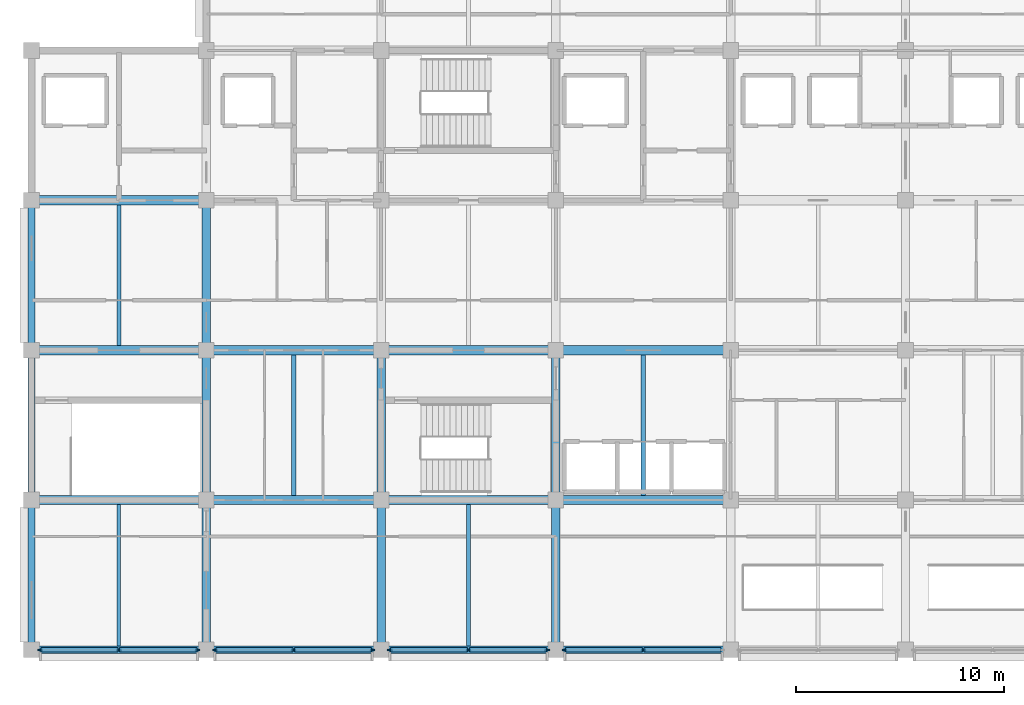
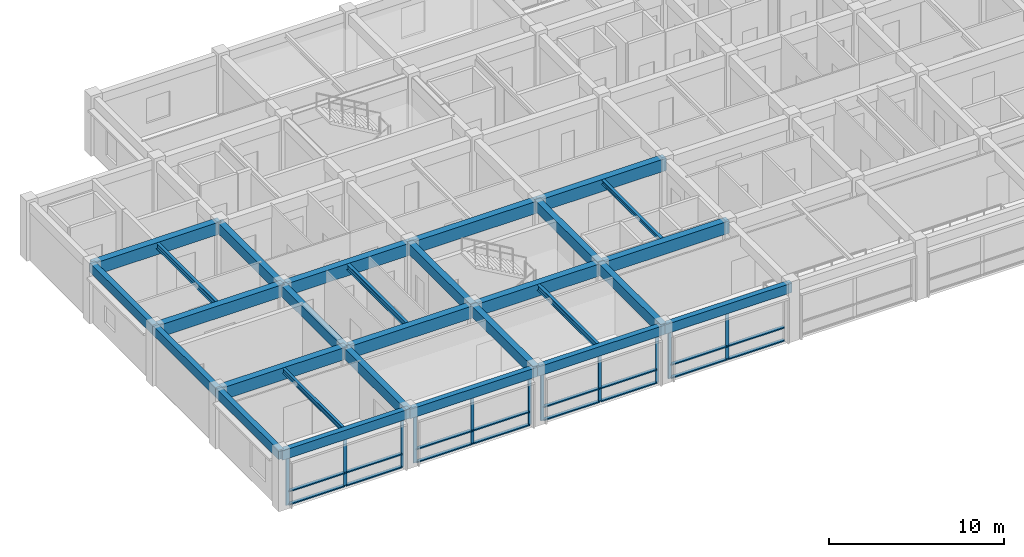
# One storey, part 2 of 23: 35 members, 28 beams, 4 elements without a shape of their own.
"""IFC4 building model written with IfcOpenShell, lengths in metres."""

from ifc_helpers import new_model, si_unit, direction, frame, origin, origin_2d, place, context, subcontext, project, spatial, rectangle, i_section, extrude, material, layer, layer_set, material_profile, profile_set, type_object, element, aggregate, save


model = new_model("IFC4")

# Units and contexts
model_context = context("Model", 3, precision=1e-05, world=origin(), true_north=direction((0.0, 1.0)))
body_context = subcontext(model_context, "Body", "Model", "MODEL_VIEW")
ifc_project = project(units=[si_unit("LENGTHUNIT", "METRE"), si_unit("AREAUNIT", "SQUARE_METRE"), si_unit("VOLUMEUNIT", "CUBIC_METRE"), si_unit("PLANEANGLEUNIT", "RADIAN"), si_unit("MASSUNIT", "GRAM", prefix="KILO")], contexts=[model_context])

# Site, building, storey
site_placement = place(None, origin())
site = spatial("IfcSite", under=ifc_project, at=site_placement, CompositionType="ELEMENT")
building_placement = place(site_placement, origin())
building = spatial("IfcBuilding", under=site, at=building_placement, Name="Chengyuan Square Courthouse", CompositionType="ELEMENT")
storey_placement = place(building_placement, frame((0.0, 0.0, 43.5)))
storey = spatial("IfcBuildingStorey", under=building, at=storey_placement, Name="L10", CompositionType="ELEMENT", Elevation=43.5)

# Beams
ifc_material_1 = material(Name="Concrete C40", Category="concrete")
ifc_material_profile_1 = material_profile(ifc_material_1, rectangle(XDim=0.449951171875, YDim=0.85009765625, at=origin_2d()), Name="RC-BM-450x850")
ifc_profile_set_1 = profile_set([ifc_material_profile_1], Name="Concrete C40")
beam_type_1 = type_object("IfcBeamType", Name="BM-01", PredefinedType="USERDEFINED", material=ifc_profile_set_1)
beam_1_placement = place(storey_placement, frame((42.0, 86.39990234375, 3.574951171875), z_axis=(1.0, 0.0, 0.0), x_axis=(0.0, 1.0, 0.0)))
element("IfcBeam", 1, at=beam_1_placement, inside=storey, type_object=beam_type_1, Name="Girder BM-L10-4036", ObjectType="GIRDER", PredefinedType="USERDEFINED", context=body_context, shape_type="SweptSolid", body=[
    extrude(rectangle(XDim=0.449951171875, YDim=0.85009765625, at=origin_2d()), origin(), (0.0, 0.0, 1.0), 8.39990234375),
])
beam_2_placement = place(storey_placement, frame((50.39990234375, 86.39990234375, 3.52490234375), z_axis=(1.0, 0.0, 0.0), x_axis=(0.0, 1.0, 0.0)))
element("IfcBeam", 2, at=beam_2_placement, inside=storey, type_object=beam_type_1, Name="Girder BM-L10-4037", ObjectType="GIRDER", PredefinedType="USERDEFINED", context=body_context, shape_type="SweptSolid", body=[
    extrude(rectangle(XDim=0.449951171875, YDim=0.85009765625, at=origin_2d()), origin(), (0.0, 0.0, 1.0), 8.400146484375),
])
beam_3_placement = place(storey_placement, frame((58.800048828125, 86.39990234375, 3.52490234375), z_axis=(1.0, 0.0, 0.0), x_axis=(0.0, 1.0, 0.0)))
element("IfcBeam", 3, at=beam_3_placement, inside=storey, type_object=beam_type_1, Name="Girder BM-L10-4038", ObjectType="GIRDER", PredefinedType="USERDEFINED", context=body_context, shape_type="SweptSolid", body=[
    extrude(rectangle(XDim=0.449951171875, YDim=0.85009765625, at=origin_2d()), origin(), (0.0, 0.0, 1.0), 8.39990234375),
])
beam_4_placement = place(storey_placement, frame((67.199951171875, 86.39990234375, 3.52490234375), z_axis=(1.0, 0.0, 0.0), x_axis=(0.0, 1.0, 0.0)))
element("IfcBeam", 4, at=beam_4_placement, inside=storey, type_object=beam_type_1, Name="Girder BM-L10-4039", ObjectType="GIRDER", PredefinedType="USERDEFINED", context=body_context, shape_type="SweptSolid", body=[
    extrude(rectangle(XDim=0.449951171875, YDim=0.85009765625, at=origin_2d()), origin(), (0.0, 0.0, 1.0), 8.400146484375),
])
beam_5_placement = place(storey_placement, frame((42.0, 93.60009765625, 3.574951171875), z_axis=(1.0, 0.0, 0.0), x_axis=(0.0, 1.0, 0.0)))
element("IfcBeam", 5, at=beam_5_placement, inside=storey, type_object=beam_type_1, Name="Girder BM-L10-4046", ObjectType="GIRDER", PredefinedType="USERDEFINED", context=body_context, shape_type="SweptSolid", body=[
    extrude(rectangle(XDim=0.449951171875, YDim=0.85009765625, at=origin_2d()), origin(), (0.0, 0.0, 1.0), 8.39990234375),
])
beam_6_placement = place(storey_placement, frame((50.39990234375, 93.60009765625, 3.52490234375), z_axis=(1.0, 0.0, 0.0), x_axis=(0.0, 1.0, 0.0)))
element("IfcBeam", 6, at=beam_6_placement, inside=storey, type_object=beam_type_1, Name="Girder BM-L10-4047", ObjectType="GIRDER", PredefinedType="USERDEFINED", context=body_context, shape_type="SweptSolid", body=[
    extrude(rectangle(XDim=0.449951171875, YDim=0.85009765625, at=origin_2d()), origin(), (0.0, 0.0, 1.0), 8.400146484375),
])
beam_7_placement = place(storey_placement, frame((58.800048828125, 93.60009765625, 3.52490234375), z_axis=(1.0, 0.0, 0.0), x_axis=(0.0, 1.0, 0.0)))
element("IfcBeam", 7, at=beam_7_placement, inside=storey, type_object=beam_type_1, Name="Girder BM-L10-4048", ObjectType="GIRDER", PredefinedType="USERDEFINED", context=body_context, shape_type="SweptSolid", body=[
    extrude(rectangle(XDim=0.449951171875, YDim=0.85009765625, at=origin_2d()), origin(), (0.0, 0.0, 1.0), 8.39990234375),
])
beam_8_placement = place(storey_placement, frame((67.199951171875, 93.60009765625, 3.52490234375), z_axis=(1.0, 0.0, 0.0), x_axis=(0.0, 1.0, 0.0)))
element("IfcBeam", 8, at=beam_8_placement, inside=storey, type_object=beam_type_1, Name="Girder BM-L10-4049", ObjectType="GIRDER", PredefinedType="USERDEFINED", context=body_context, shape_type="SweptSolid", body=[
    extrude(rectangle(XDim=0.449951171875, YDim=0.85009765625, at=origin_2d()), origin(), (0.0, 0.0, 1.0), 8.400146484375),
])
beam_9_placement = place(storey_placement, frame((42.0, 100.800048828125, 3.574951171875), z_axis=(1.0, 0.0, 0.0), x_axis=(0.0, 1.0, 0.0)))
element("IfcBeam", 9, at=beam_9_placement, inside=storey, type_object=beam_type_1, Name="Girder BM-L10-4056", ObjectType="GIRDER", PredefinedType="USERDEFINED", context=body_context, shape_type="SweptSolid", body=[
    extrude(rectangle(XDim=0.449951171875, YDim=0.85009765625, at=origin_2d()), origin(), (0.0, 0.0, 1.0), 8.39990234375),
])
ifc_material_profile_2 = material_profile(ifc_material_1, rectangle(XDim=0.39990234375, YDim=0.75, at=origin_2d()), Name="RC-BM-400x750")
ifc_profile_set_2 = profile_set([ifc_material_profile_2], Name="Concrete C40")
beam_type_2 = type_object("IfcBeamType", Name="BM-02", PredefinedType="USERDEFINED", material=ifc_profile_set_2)
beam_10_placement = place(storey_placement, frame((50.39990234375, 79.199951171875, 3.574951171875), z_axis=(0.0, 1.0, 0.0), x_axis=(-1.0, 0.0, 0.0)))
element("IfcBeam", 10, at=beam_10_placement, inside=storey, type_object=beam_type_2, Name="Girder BM-L10-4088", ObjectType="GIRDER", PredefinedType="USERDEFINED", context=body_context, shape_type="SweptSolid", body=[
    extrude(rectangle(XDim=0.39990234375, YDim=0.75, at=origin_2d()), origin(), (0.0, 0.0, 1.0), 7.199951171875),
])
beam_11_placement = place(storey_placement, frame((50.39990234375, 86.39990234375, 3.574951171875), z_axis=(0.0, 1.0, 0.0), x_axis=(-1.0, 0.0, 0.0)))
element("IfcBeam", 11, at=beam_11_placement, inside=storey, type_object=beam_type_2, Name="Girder BM-L10-4089", ObjectType="GIRDER", PredefinedType="USERDEFINED", context=body_context, shape_type="SweptSolid", body=[
    extrude(rectangle(XDim=0.39990234375, YDim=0.75, at=origin_2d()), origin(), (0.0, 0.0, 1.0), 7.2001953125),
])
for number, where, z_axis, x_axis, name in (
    (12, (50.39990234375, 93.60009765625, 3.574951171875), (0.0, 1.0, 0.0), (-1.0, 0.0, 0.0), "Girder BM-L10-4090"),
    (13, (58.800048828125, 79.199951171875, 3.574951171875), (0.0, 1.0, 0.0), (-1.0, 0.0, 0.0), "Girder BM-L10-4093"),
):
    element("IfcBeam", number, at=place(storey_placement, frame(where, z_axis=z_axis, x_axis=x_axis)), inside=storey, type_object=beam_type_2, Name=name, ObjectType="GIRDER", PredefinedType="USERDEFINED", context=body_context, shape_type="SweptSolid", body=[
        extrude(rectangle(XDim=0.39990234375, YDim=0.75, at=origin_2d()), origin(), (0.0, 0.0, 1.0), 7.199951171875),
    ])
beam_12_placement = place(storey_placement, frame((58.800048828125, 86.39990234375, 3.574951171875), z_axis=(0.0, 1.0, 0.0), x_axis=(-1.0, 0.0, 0.0)))
element("IfcBeam", 14, at=beam_12_placement, inside=storey, type_object=beam_type_2, Name="Girder BM-L10-4094", ObjectType="GIRDER", PredefinedType="USERDEFINED", context=body_context, shape_type="SweptSolid", body=[
    extrude(rectangle(XDim=0.39990234375, YDim=0.75, at=origin_2d()), origin(), (0.0, 0.0, 1.0), 7.2001953125),
])
beam_13_placement = place(storey_placement, frame((67.199951171875, 79.199951171875, 3.574951171875), z_axis=(0.0, 1.0, 0.0), x_axis=(-1.0, 0.0, 0.0)))
element("IfcBeam", 15, at=beam_13_placement, inside=storey, type_object=beam_type_2, Name="Girder BM-L10-4098", ObjectType="GIRDER", PredefinedType="USERDEFINED", context=body_context, shape_type="SweptSolid", body=[
    extrude(rectangle(XDim=0.39990234375, YDim=0.75, at=origin_2d()), origin(), (0.0, 0.0, 1.0), 7.199951171875),
])
beam_14_placement = place(storey_placement, frame((67.199951171875, 86.39990234375, 3.574951171875), z_axis=(0.0, 1.0, 0.0), x_axis=(-1.0, 0.0, 0.0)))
element("IfcBeam", 16, at=beam_14_placement, inside=storey, type_object=beam_type_2, Name="Girder BM-L10-4099", ObjectType="GIRDER", PredefinedType="USERDEFINED", context=body_context, shape_type="SweptSolid", body=[
    extrude(rectangle(XDim=0.39990234375, YDim=0.75, at=origin_2d()), origin(), (0.0, 0.0, 1.0), 7.2001953125),
])
ifc_material_profile_3 = material_profile(ifc_material_1, rectangle(XDim=0.35009765625, YDim=0.64990234375, at=origin_2d()), Name="RC-BM-350x650")
ifc_profile_set_3 = profile_set([ifc_material_profile_3], Name="Concrete C40")
beam_type_3 = type_object("IfcBeamType", Name="BM-03", PredefinedType="SPANDREL", material=ifc_profile_set_3)
beam_15_placement = place(storey_placement, frame((42.0, 79.199951171875, 3.675048828125), z_axis=(1.0, 0.0, 0.0), x_axis=(0.0, 1.0, 0.0)))
element("IfcBeam", 17, at=beam_15_placement, inside=storey, type_object=beam_type_3, Name="Girder BM-L10-4026", PredefinedType="SPANDREL", context=body_context, shape_type="SweptSolid", body=[
    extrude(rectangle(XDim=0.35009765625, YDim=0.64990234375, at=origin_2d()), origin(), (0.0, 0.0, 1.0), 8.39990234375),
])
beam_16_placement = place(storey_placement, frame((50.39990234375, 79.199951171875, 3.625), z_axis=(1.0, 0.0, 0.0), x_axis=(0.0, 1.0, 0.0)))
element("IfcBeam", 18, at=beam_16_placement, inside=storey, type_object=beam_type_3, Name="Girder BM-L10-4027", PredefinedType="SPANDREL", context=body_context, shape_type="SweptSolid", body=[
    extrude(rectangle(XDim=0.35009765625, YDim=0.64990234375, at=origin_2d()), origin(), (0.0, 0.0, 1.0), 8.400146484375),
])
beam_17_placement = place(storey_placement, frame((58.800048828125, 79.199951171875, 3.625), z_axis=(1.0, 0.0, 0.0), x_axis=(0.0, 1.0, 0.0)))
element("IfcBeam", 19, at=beam_17_placement, inside=storey, type_object=beam_type_3, Name="Girder BM-L10-4028", PredefinedType="SPANDREL", context=body_context, shape_type="SweptSolid", body=[
    extrude(rectangle(XDim=0.35009765625, YDim=0.64990234375, at=origin_2d()), origin(), (0.0, 0.0, 1.0), 8.39990234375),
])
beam_18_placement = place(storey_placement, frame((67.199951171875, 79.199951171875, 3.625), z_axis=(1.0, 0.0, 0.0), x_axis=(0.0, 1.0, 0.0)))
element("IfcBeam", 20, at=beam_18_placement, inside=storey, type_object=beam_type_3, Name="Girder BM-L10-4029", PredefinedType="SPANDREL", context=body_context, shape_type="SweptSolid", body=[
    extrude(rectangle(XDim=0.35009765625, YDim=0.64990234375, at=origin_2d()), origin(), (0.0, 0.0, 1.0), 8.400146484375),
])
beam_19_placement = place(storey_placement, frame((42.0, 79.199951171875, 3.675048828125), z_axis=(0.0, 1.0, 0.0), x_axis=(-1.0, 0.0, 0.0)))
element("IfcBeam", 21, at=beam_19_placement, inside=storey, type_object=beam_type_3, Name="Girder BM-L10-4084", PredefinedType="SPANDREL", context=body_context, shape_type="SweptSolid", body=[
    extrude(rectangle(XDim=0.35009765625, YDim=0.64990234375, at=origin_2d()), origin(), (0.0, 0.0, 1.0), 7.199951171875),
])
beam_20_placement = place(storey_placement, frame((42.0, 86.39990234375, 3.675048828125), z_axis=(0.0, 1.0, 0.0), x_axis=(-1.0, 0.0, 0.0)))
element("IfcBeam", 22, at=beam_20_placement, inside=storey, type_object=beam_type_3, Name="Girder BM-L10-4085", PredefinedType="SPANDREL", context=body_context, shape_type="SweptSolid", body=[
    extrude(rectangle(XDim=0.35009765625, YDim=0.64990234375, at=origin_2d()), origin(), (0.0, 0.0, 1.0), 7.2001953125),
])
beam_21_placement = place(storey_placement, frame((42.0, 93.60009765625, 3.675048828125), z_axis=(0.0, 1.0, 0.0), x_axis=(-1.0, 0.0, 0.0)))
element("IfcBeam", 23, at=beam_21_placement, inside=storey, type_object=beam_type_3, Name="Girder BM-L10-4086", PredefinedType="SPANDREL", context=body_context, shape_type="SweptSolid", body=[
    extrude(rectangle(XDim=0.35009765625, YDim=0.64990234375, at=origin_2d()), origin(), (0.0, 0.0, 1.0), 7.199951171875),
])
ifc_material_2 = material(Name="Steel Q355B", Category="steel")
ifc_material_profile_4 = material_profile(ifc_material_2, i_section(OverallWidth=0.199951171875, OverallDepth=0.39990234375, WebThickness=0.008056640625, FlangeThickness=0.012939453125, at=origin_2d()), Name="HN 400x200x8x13")
ifc_profile_set_4 = profile_set([ifc_material_profile_4], Name="Steel Q355B")
beam_type_4 = type_object("IfcBeamType", Name="BM-07", PredefinedType="BEAM", material=ifc_profile_set_4)
for number, where, z_axis, x_axis, name in (
    (24, (46.199951171875, 93.824951171875, 3.800048828125), (0.0, 1.0, 0.0), (-1.0, 0.0, 0.0), "Secondary Floor Beam SBM-L10-4138"),
    (25, (54.60009765625, 86.625, 3.75), (0.0, 1.0, 0.0), (-1.0, 0.0, 0.0), "Secondary Floor Beam SBM-L10-4139"),
):
    element("IfcBeam", number, at=place(storey_placement, frame(where, z_axis=z_axis, x_axis=x_axis)), inside=storey, type_object=beam_type_4, Name=name, PredefinedType="BEAM", context=body_context, shape_type="SweptSolid", body=[
        extrude(i_section(OverallWidth=0.199951171875, OverallDepth=0.39990234375, WebThickness=0.008056640625, FlangeThickness=0.012939453125, at=origin_2d()), origin(), (0.0, 0.0, 1.0), 6.75),
    ])
beam_22_placement = place(storey_placement, frame((63.0, 79.375, 3.75), z_axis=(0.0, 1.0, 0.0), x_axis=(-1.0, 0.0, 0.0)))
element("IfcBeam", 26, at=beam_22_placement, inside=storey, type_object=beam_type_4, Name="Secondary Floor Beam SBM-L10-4141", PredefinedType="BEAM", context=body_context, shape_type="SweptSolid", body=[
    extrude(i_section(OverallWidth=0.199951171875, OverallDepth=0.39990234375, WebThickness=0.008056640625, FlangeThickness=0.012939453125, at=origin_2d()), origin(), (0.0, 0.0, 1.0), 6.800048828125),
])
ifc_material_profile_5 = material_profile(ifc_material_2, i_section(OverallWidth=0.175048828125, OverallDepth=0.35009765625, WebThickness=0.007080078125, FlangeThickness=0.010986328125, at=origin_2d()), Name="HN 350x175x7x11")
ifc_profile_set_5 = profile_set([ifc_material_profile_5], Name="Steel Q355B")
beam_type_5 = type_object("IfcBeamType", Name="BM-08", PredefinedType="BEAM", material=ifc_profile_set_5)
beam_23_placement = place(storey_placement, frame((46.199951171875, 79.375, 3.824951171875), z_axis=(0.0, 1.0, 0.0), x_axis=(-1.0, 0.0, 0.0)))
element("IfcBeam", 27, at=beam_23_placement, inside=storey, type_object=beam_type_5, Name="Secondary Floor Beam SBM-L10-4137", PredefinedType="BEAM", context=body_context, shape_type="SweptSolid", body=[
    extrude(i_section(OverallWidth=0.175048828125, OverallDepth=0.35009765625, WebThickness=0.007080078125, FlangeThickness=0.010986328125, at=origin_2d()), origin(), (0.0, 0.0, 1.0), 6.800048828125),
])
ifc_material_profile_6 = material_profile(ifc_material_2, i_section(OverallWidth=0.199951171875, OverallDepth=0.300048828125, WebThickness=0.008056640625, FlangeThickness=0.011962890625, at=origin_2d()), Name="HM 300x200x8x12")
ifc_profile_set_6 = profile_set([ifc_material_profile_6], Name="Steel Q355B")
beam_type_6 = type_object("IfcBeamType", Name="BM-09", PredefinedType="BEAM", material=ifc_profile_set_6)
beam_24_placement = place(storey_placement, frame((71.39990234375, 86.625, 3.800048828125), z_axis=(0.0, 1.0, 0.0), x_axis=(-1.0, 0.0, 0.0)))
element("IfcBeam", 28, at=beam_24_placement, inside=storey, type_object=beam_type_6, Name="Secondary Floor Beam SBM-L10-4144", PredefinedType="BEAM", context=body_context, shape_type="SweptSolid", body=[
    extrude(i_section(OverallWidth=0.199951171875, OverallDepth=0.300048828125, WebThickness=0.008056640625, FlangeThickness=0.011962890625, at=origin_2d()), origin(), (0.0, 0.0, 1.0), 6.75),
])

# Curtain wall, members
ifc_material_3 = material(Name="Unitised Aluminium and Triple Low-E Glass", Category="aluminium")
ifc_layer = layer(ifc_material_3, 0.219970703125)
ifc_layer_set = layer_set([ifc_layer], Name="Unitised Aluminium and Triple Low-E Glass")
curtain_wall_type = type_object("IfcCurtainWallType", Name="CW-04", PredefinedType="USERDEFINED", material=ifc_layer_set)
curtain_wall_1_placement = place(storey_placement, origin())
curtain_wall_1 = element("IfcCurtainWall", 29, at=curtain_wall_1_placement, inside=storey, type_object=curtain_wall_type, Name="Unitised Curtain Wall CW-L10-247", ObjectType="UNITISED CURTAIN WALL", PredefinedType="USERDEFINED")
ifc_material_4 = material(Name="Aluminium 6063-T6 Frame", Category="aluminium")
ifc_material_profile_7 = material_profile(ifc_material_4, rectangle(XDim=0.080078125, YDim=0.219970703125, at=origin_2d()), Name="CW-MUL-80x220")
ifc_profile_set_7 = profile_set([ifc_material_profile_7], Name="Aluminium 6063-T6 Frame")
member_type_1 = type_object("IfcMemberType", Name="CWM-04", PredefinedType="MULLION", material=ifc_profile_set_7)
member_1_placement = place(storey_placement, frame((42.4150390625, 79.199951171875, 0.0), z_axis=(0.0, 0.0, 1.0), x_axis=(0.0, 1.0, 0.0)))
member_1 = element("IfcMember", 30, at=member_1_placement, type_object=member_type_1, Name="CW-04 mullion 1", PredefinedType="MULLION", context=body_context, shape_type="SweptSolid", body=[
    extrude(rectangle(XDim=0.080078125, YDim=0.219970703125, at=origin_2d()), origin(), (0.0, 0.0, 1.0), 3.35009765625),
])
member_2_placement = place(storey_placement, frame((46.199951171875, 79.199951171875, 0.0), z_axis=(0.0, 0.0, 1.0), x_axis=(0.0, 1.0, 0.0)))
member_2 = element("IfcMember", 31, at=member_2_placement, type_object=member_type_1, Name="CW-04 mullion 2", PredefinedType="MULLION", context=body_context, shape_type="SweptSolid", body=[
    extrude(rectangle(XDim=0.080078125, YDim=0.219970703125, at=origin_2d()), origin(), (0.0, 0.0, 1.0), 3.35009765625),
])
member_3_placement = place(storey_placement, frame((49.985107421875, 79.199951171875, 0.0), z_axis=(0.0, 0.0, 1.0), x_axis=(0.0, 1.0, 0.0)))
member_3 = element("IfcMember", 32, at=member_3_placement, type_object=member_type_1, Name="CW-04 mullion 3", PredefinedType="MULLION", context=body_context, shape_type="SweptSolid", body=[
    extrude(rectangle(XDim=0.080078125, YDim=0.219970703125, at=origin_2d()), origin(), (0.0, 0.0, 1.0), 3.35009765625),
])

curtain_wall_2_placement = place(storey_placement, origin())
curtain_wall_2 = element("IfcCurtainWall", 33, at=curtain_wall_2_placement, inside=storey, type_object=curtain_wall_type, Name="Unitised Curtain Wall CW-L10-248", ObjectType="UNITISED CURTAIN WALL", PredefinedType="USERDEFINED")
member_4_placement = place(storey_placement, frame((50.81494140625, 79.199951171875, 0.0), z_axis=(0.0, 0.0, 1.0), x_axis=(0.0, 1.0, 0.0)))
member_4 = element("IfcMember", 34, at=member_4_placement, type_object=member_type_1, Name="CW-04 mullion 1", PredefinedType="MULLION", context=body_context, shape_type="SweptSolid", body=[
    extrude(rectangle(XDim=0.080078125, YDim=0.219970703125, at=origin_2d()), origin(), (0.0, 0.0, 1.0), 3.300048828125),
])
member_5_placement = place(storey_placement, frame((54.60009765625, 79.199951171875, 0.0), z_axis=(0.0, 0.0, 1.0), x_axis=(0.0, 1.0, 0.0)))
member_5 = element("IfcMember", 35, at=member_5_placement, type_object=member_type_1, Name="CW-04 mullion 2", PredefinedType="MULLION", context=body_context, shape_type="SweptSolid", body=[
    extrude(rectangle(XDim=0.080078125, YDim=0.219970703125, at=origin_2d()), origin(), (0.0, 0.0, 1.0), 3.300048828125),
])
member_6_placement = place(storey_placement, frame((58.385009765625, 79.199951171875, 0.0), z_axis=(0.0, 0.0, 1.0), x_axis=(0.0, 1.0, 0.0)))
member_6 = element("IfcMember", 36, at=member_6_placement, type_object=member_type_1, Name="CW-04 mullion 3", PredefinedType="MULLION", context=body_context, shape_type="SweptSolid", body=[
    extrude(rectangle(XDim=0.080078125, YDim=0.219970703125, at=origin_2d()), origin(), (0.0, 0.0, 1.0), 3.300048828125),
])

curtain_wall_3_placement = place(storey_placement, origin())
curtain_wall_3 = element("IfcCurtainWall", 37, at=curtain_wall_3_placement, inside=storey, type_object=curtain_wall_type, Name="Unitised Curtain Wall CW-L10-249", ObjectType="UNITISED CURTAIN WALL", PredefinedType="USERDEFINED")
member_7_placement = place(storey_placement, frame((59.215087890625, 79.199951171875, 0.0), z_axis=(0.0, 0.0, 1.0), x_axis=(0.0, 1.0, 0.0)))
member_7 = element("IfcMember", 38, at=member_7_placement, type_object=member_type_1, Name="CW-04 mullion 1", PredefinedType="MULLION", context=body_context, shape_type="SweptSolid", body=[
    extrude(rectangle(XDim=0.080078125, YDim=0.219970703125, at=origin_2d()), origin(), (0.0, 0.0, 1.0), 3.300048828125),
])
member_8_placement = place(storey_placement, frame((63.0, 79.199951171875, 0.0), z_axis=(0.0, 0.0, 1.0), x_axis=(0.0, 1.0, 0.0)))
member_8 = element("IfcMember", 39, at=member_8_placement, type_object=member_type_1, Name="CW-04 mullion 2", PredefinedType="MULLION", context=body_context, shape_type="SweptSolid", body=[
    extrude(rectangle(XDim=0.080078125, YDim=0.219970703125, at=origin_2d()), origin(), (0.0, 0.0, 1.0), 3.300048828125),
])
member_9_placement = place(storey_placement, frame((66.784912109375, 79.199951171875, 0.0), z_axis=(0.0, 0.0, 1.0), x_axis=(0.0, 1.0, 0.0)))
member_9 = element("IfcMember", 40, at=member_9_placement, type_object=member_type_1, Name="CW-04 mullion 3", PredefinedType="MULLION", context=body_context, shape_type="SweptSolid", body=[
    extrude(rectangle(XDim=0.080078125, YDim=0.219970703125, at=origin_2d()), origin(), (0.0, 0.0, 1.0), 3.300048828125),
])

curtain_wall_4_placement = place(storey_placement, origin())
curtain_wall_4 = element("IfcCurtainWall", 41, at=curtain_wall_4_placement, inside=storey, type_object=curtain_wall_type, Name="Unitised Curtain Wall CW-L10-250", ObjectType="UNITISED CURTAIN WALL", PredefinedType="USERDEFINED")
member_10_placement = place(storey_placement, frame((67.614990234375, 79.199951171875, 0.0), z_axis=(0.0, 0.0, 1.0), x_axis=(0.0, 1.0, 0.0)))
member_10 = element("IfcMember", 42, at=member_10_placement, type_object=member_type_1, Name="CW-04 mullion 1", PredefinedType="MULLION", context=body_context, shape_type="SweptSolid", body=[
    extrude(rectangle(XDim=0.080078125, YDim=0.219970703125, at=origin_2d()), origin(), (0.0, 0.0, 1.0), 3.300048828125),
])
member_11_placement = place(storey_placement, frame((71.39990234375, 79.199951171875, 0.0), z_axis=(0.0, 0.0, 1.0), x_axis=(0.0, 1.0, 0.0)))
member_11 = element("IfcMember", 43, at=member_11_placement, type_object=member_type_1, Name="CW-04 mullion 2", PredefinedType="MULLION", context=body_context, shape_type="SweptSolid", body=[
    extrude(rectangle(XDim=0.080078125, YDim=0.219970703125, at=origin_2d()), origin(), (0.0, 0.0, 1.0), 3.300048828125),
])

# Member
ifc_material_profile_8 = material_profile(ifc_material_4, rectangle(XDim=0.219970703125, YDim=0.080078125, at=origin_2d()), Name="CW-TRN-80x180")
ifc_profile_set_8 = profile_set([ifc_material_profile_8], Name="Aluminium 6063-T6 Frame")
member_type_2 = type_object("IfcMemberType", Name="CWT-04", PredefinedType="USERDEFINED", material=ifc_profile_set_8)
member_12_placement = place(storey_placement, frame((42.455078125, 79.199951171875, 0.0400390625), z_axis=(1.0, 0.0, 0.0), x_axis=(0.0, 1.0, 0.0)))
member_12 = element("IfcMember", 44, at=member_12_placement, type_object=member_type_2, Name="CW-04 transom 1.1", ObjectType="TRANSOM", PredefinedType="USERDEFINED", context=body_context, shape_type="SweptSolid", body=[
    extrude(rectangle(XDim=0.219970703125, YDim=0.080078125, at=origin_2d()), origin(), (0.0, 0.0, 1.0), 3.704833984375),
])

member_13_placement = place(storey_placement, frame((42.455078125, 79.199951171875, 0.949951171875), z_axis=(1.0, 0.0, 0.0), x_axis=(0.0, 1.0, 0.0)))
member_13 = element("IfcMember", 45, at=member_13_placement, type_object=member_type_2, Name="CW-04 transom 1.2", ObjectType="TRANSOM", PredefinedType="USERDEFINED", context=body_context, shape_type="SweptSolid", body=[
    extrude(rectangle(XDim=0.219970703125, YDim=0.080078125, at=origin_2d()), origin(), (0.0, 0.0, 1.0), 3.704833984375),
])

member_14_placement = place(storey_placement, frame((42.455078125, 79.199951171875, 3.31005859375), z_axis=(1.0, 0.0, 0.0), x_axis=(0.0, 1.0, 0.0)))
member_14 = element("IfcMember", 46, at=member_14_placement, type_object=member_type_2, Name="CW-04 transom 1.3", ObjectType="TRANSOM", PredefinedType="USERDEFINED", context=body_context, shape_type="SweptSolid", body=[
    extrude(rectangle(XDim=0.219970703125, YDim=0.080078125, at=origin_2d()), origin(), (0.0, 0.0, 1.0), 3.704833984375),
])

member_15_placement = place(storey_placement, frame((46.239990234375, 79.199951171875, 0.0400390625), z_axis=(1.0, 0.0, 0.0), x_axis=(0.0, 1.0, 0.0)))
member_15 = element("IfcMember", 47, at=member_15_placement, type_object=member_type_2, Name="CW-04 transom 2.1", ObjectType="TRANSOM", PredefinedType="USERDEFINED", context=body_context, shape_type="SweptSolid", body=[
    extrude(rectangle(XDim=0.219970703125, YDim=0.080078125, at=origin_2d()), origin(), (0.0, 0.0, 1.0), 3.705078125),
])

member_16_placement = place(storey_placement, frame((46.239990234375, 79.199951171875, 0.949951171875), z_axis=(1.0, 0.0, 0.0), x_axis=(0.0, 1.0, 0.0)))
member_16 = element("IfcMember", 48, at=member_16_placement, type_object=member_type_2, Name="CW-04 transom 2.2", ObjectType="TRANSOM", PredefinedType="USERDEFINED", context=body_context, shape_type="SweptSolid", body=[
    extrude(rectangle(XDim=0.219970703125, YDim=0.080078125, at=origin_2d()), origin(), (0.0, 0.0, 1.0), 3.705078125),
])

member_17_placement = place(storey_placement, frame((46.239990234375, 79.199951171875, 3.31005859375), z_axis=(1.0, 0.0, 0.0), x_axis=(0.0, 1.0, 0.0)))
member_17 = element("IfcMember", 49, at=member_17_placement, type_object=member_type_2, Name="CW-04 transom 2.3", ObjectType="TRANSOM", PredefinedType="USERDEFINED", context=body_context, shape_type="SweptSolid", body=[
    extrude(rectangle(XDim=0.219970703125, YDim=0.080078125, at=origin_2d()), origin(), (0.0, 0.0, 1.0), 3.705078125),
])

aggregate(curtain_wall_1, [member_1, member_2, member_3, member_12, member_13, member_14, member_15, member_16, member_17])

member_18_placement = place(storey_placement, frame((50.85498046875, 79.199951171875, 0.0400390625), z_axis=(1.0, 0.0, 0.0), x_axis=(0.0, 1.0, 0.0)))
member_18 = element("IfcMember", 50, at=member_18_placement, type_object=member_type_2, Name="CW-04 transom 1.1", ObjectType="TRANSOM", PredefinedType="USERDEFINED", context=body_context, shape_type="SweptSolid", body=[
    extrude(rectangle(XDim=0.219970703125, YDim=0.080078125, at=origin_2d()), origin(), (0.0, 0.0, 1.0), 3.705078125),
])

member_19_placement = place(storey_placement, frame((50.85498046875, 79.199951171875, 0.949951171875), z_axis=(1.0, 0.0, 0.0), x_axis=(0.0, 1.0, 0.0)))
member_19 = element("IfcMember", 51, at=member_19_placement, type_object=member_type_2, Name="CW-04 transom 1.2", ObjectType="TRANSOM", PredefinedType="USERDEFINED", context=body_context, shape_type="SweptSolid", body=[
    extrude(rectangle(XDim=0.219970703125, YDim=0.080078125, at=origin_2d()), origin(), (0.0, 0.0, 1.0), 3.705078125),
])

member_20_placement = place(storey_placement, frame((50.85498046875, 79.199951171875, 3.260009765625), z_axis=(1.0, 0.0, 0.0), x_axis=(0.0, 1.0, 0.0)))
member_20 = element("IfcMember", 52, at=member_20_placement, type_object=member_type_2, Name="CW-04 transom 1.3", ObjectType="TRANSOM", PredefinedType="USERDEFINED", context=body_context, shape_type="SweptSolid", body=[
    extrude(rectangle(XDim=0.219970703125, YDim=0.080078125, at=origin_2d()), origin(), (0.0, 0.0, 1.0), 3.705078125),
])

member_21_placement = place(storey_placement, frame((54.639892578125, 79.199951171875, 0.0400390625), z_axis=(1.0, 0.0, 0.0), x_axis=(0.0, 1.0, 0.0)))
member_21 = element("IfcMember", 53, at=member_21_placement, type_object=member_type_2, Name="CW-04 transom 2.1", ObjectType="TRANSOM", PredefinedType="USERDEFINED", context=body_context, shape_type="SweptSolid", body=[
    extrude(rectangle(XDim=0.219970703125, YDim=0.080078125, at=origin_2d()), origin(), (0.0, 0.0, 1.0), 3.705078125),
])

member_22_placement = place(storey_placement, frame((54.639892578125, 79.199951171875, 0.949951171875), z_axis=(1.0, 0.0, 0.0), x_axis=(0.0, 1.0, 0.0)))
member_22 = element("IfcMember", 54, at=member_22_placement, type_object=member_type_2, Name="CW-04 transom 2.2", ObjectType="TRANSOM", PredefinedType="USERDEFINED", context=body_context, shape_type="SweptSolid", body=[
    extrude(rectangle(XDim=0.219970703125, YDim=0.080078125, at=origin_2d()), origin(), (0.0, 0.0, 1.0), 3.705078125),
])

member_23_placement = place(storey_placement, frame((54.639892578125, 79.199951171875, 3.260009765625), z_axis=(1.0, 0.0, 0.0), x_axis=(0.0, 1.0, 0.0)))
member_23 = element("IfcMember", 55, at=member_23_placement, type_object=member_type_2, Name="CW-04 transom 2.3", ObjectType="TRANSOM", PredefinedType="USERDEFINED", context=body_context, shape_type="SweptSolid", body=[
    extrude(rectangle(XDim=0.219970703125, YDim=0.080078125, at=origin_2d()), origin(), (0.0, 0.0, 1.0), 3.705078125),
])

aggregate(curtain_wall_2, [member_4, member_5, member_6, member_18, member_19, member_20, member_21, member_22, member_23])

member_24_placement = place(storey_placement, frame((59.2548828125, 79.199951171875, 0.0400390625), z_axis=(1.0, 0.0, 0.0), x_axis=(0.0, 1.0, 0.0)))
member_24 = element("IfcMember", 56, at=member_24_placement, type_object=member_type_2, Name="CW-04 transom 1.1", ObjectType="TRANSOM", PredefinedType="USERDEFINED", context=body_context, shape_type="SweptSolid", body=[
    extrude(rectangle(XDim=0.219970703125, YDim=0.080078125, at=origin_2d()), origin(), (0.0, 0.0, 1.0), 3.705078125),
])

member_25_placement = place(storey_placement, frame((59.2548828125, 79.199951171875, 0.949951171875), z_axis=(1.0, 0.0, 0.0), x_axis=(0.0, 1.0, 0.0)))
member_25 = element("IfcMember", 57, at=member_25_placement, type_object=member_type_2, Name="CW-04 transom 1.2", ObjectType="TRANSOM", PredefinedType="USERDEFINED", context=body_context, shape_type="SweptSolid", body=[
    extrude(rectangle(XDim=0.219970703125, YDim=0.080078125, at=origin_2d()), origin(), (0.0, 0.0, 1.0), 3.705078125),
])

member_26_placement = place(storey_placement, frame((59.2548828125, 79.199951171875, 3.260009765625), z_axis=(1.0, 0.0, 0.0), x_axis=(0.0, 1.0, 0.0)))
member_26 = element("IfcMember", 58, at=member_26_placement, type_object=member_type_2, Name="CW-04 transom 1.3", ObjectType="TRANSOM", PredefinedType="USERDEFINED", context=body_context, shape_type="SweptSolid", body=[
    extrude(rectangle(XDim=0.219970703125, YDim=0.080078125, at=origin_2d()), origin(), (0.0, 0.0, 1.0), 3.705078125),
])

member_27_placement = place(storey_placement, frame((63.0400390625, 79.199951171875, 0.0400390625), z_axis=(1.0, 0.0, 0.0), x_axis=(0.0, 1.0, 0.0)))
member_27 = element("IfcMember", 59, at=member_27_placement, type_object=member_type_2, Name="CW-04 transom 2.1", ObjectType="TRANSOM", PredefinedType="USERDEFINED", context=body_context, shape_type="SweptSolid", body=[
    extrude(rectangle(XDim=0.219970703125, YDim=0.080078125, at=origin_2d()), origin(), (0.0, 0.0, 1.0), 3.705078125),
])

member_28_placement = place(storey_placement, frame((63.0400390625, 79.199951171875, 0.949951171875), z_axis=(1.0, 0.0, 0.0), x_axis=(0.0, 1.0, 0.0)))
member_28 = element("IfcMember", 60, at=member_28_placement, type_object=member_type_2, Name="CW-04 transom 2.2", ObjectType="TRANSOM", PredefinedType="USERDEFINED", context=body_context, shape_type="SweptSolid", body=[
    extrude(rectangle(XDim=0.219970703125, YDim=0.080078125, at=origin_2d()), origin(), (0.0, 0.0, 1.0), 3.705078125),
])

member_29_placement = place(storey_placement, frame((63.0400390625, 79.199951171875, 3.260009765625), z_axis=(1.0, 0.0, 0.0), x_axis=(0.0, 1.0, 0.0)))
member_29 = element("IfcMember", 61, at=member_29_placement, type_object=member_type_2, Name="CW-04 transom 2.3", ObjectType="TRANSOM", PredefinedType="USERDEFINED", context=body_context, shape_type="SweptSolid", body=[
    extrude(rectangle(XDim=0.219970703125, YDim=0.080078125, at=origin_2d()), origin(), (0.0, 0.0, 1.0), 3.705078125),
])

aggregate(curtain_wall_3, [member_7, member_8, member_9, member_24, member_25, member_26, member_27, member_28, member_29])

member_30_placement = place(storey_placement, frame((67.655029296875, 79.199951171875, 0.0400390625), z_axis=(1.0, 0.0, 0.0), x_axis=(0.0, 1.0, 0.0)))
member_30 = element("IfcMember", 62, at=member_30_placement, type_object=member_type_2, Name="CW-04 transom 1.1", ObjectType="TRANSOM", PredefinedType="USERDEFINED", context=body_context, shape_type="SweptSolid", body=[
    extrude(rectangle(XDim=0.219970703125, YDim=0.080078125, at=origin_2d()), origin(), (0.0, 0.0, 1.0), 3.705078125),
])

member_31_placement = place(storey_placement, frame((67.655029296875, 79.199951171875, 0.949951171875), z_axis=(1.0, 0.0, 0.0), x_axis=(0.0, 1.0, 0.0)))
member_31 = element("IfcMember", 63, at=member_31_placement, type_object=member_type_2, Name="CW-04 transom 1.2", ObjectType="TRANSOM", PredefinedType="USERDEFINED", context=body_context, shape_type="SweptSolid", body=[
    extrude(rectangle(XDim=0.219970703125, YDim=0.080078125, at=origin_2d()), origin(), (0.0, 0.0, 1.0), 3.705078125),
])

member_32_placement = place(storey_placement, frame((67.655029296875, 79.199951171875, 3.260009765625), z_axis=(1.0, 0.0, 0.0), x_axis=(0.0, 1.0, 0.0)))
member_32 = element("IfcMember", 64, at=member_32_placement, type_object=member_type_2, Name="CW-04 transom 1.3", ObjectType="TRANSOM", PredefinedType="USERDEFINED", context=body_context, shape_type="SweptSolid", body=[
    extrude(rectangle(XDim=0.219970703125, YDim=0.080078125, at=origin_2d()), origin(), (0.0, 0.0, 1.0), 3.705078125),
])

member_33_placement = place(storey_placement, frame((71.43994140625, 79.199951171875, 0.0400390625), z_axis=(1.0, 0.0, 0.0), x_axis=(0.0, 1.0, 0.0)))
member_33 = element("IfcMember", 65, at=member_33_placement, type_object=member_type_2, Name="CW-04 transom 2.1", ObjectType="TRANSOM", PredefinedType="USERDEFINED", context=body_context, shape_type="SweptSolid", body=[
    extrude(rectangle(XDim=0.219970703125, YDim=0.080078125, at=origin_2d()), origin(), (0.0, 0.0, 1.0), 3.705078125),
])

member_34_placement = place(storey_placement, frame((71.43994140625, 79.199951171875, 0.949951171875), z_axis=(1.0, 0.0, 0.0), x_axis=(0.0, 1.0, 0.0)))
member_34 = element("IfcMember", 66, at=member_34_placement, type_object=member_type_2, Name="CW-04 transom 2.2", ObjectType="TRANSOM", PredefinedType="USERDEFINED", context=body_context, shape_type="SweptSolid", body=[
    extrude(rectangle(XDim=0.219970703125, YDim=0.080078125, at=origin_2d()), origin(), (0.0, 0.0, 1.0), 3.705078125),
])

member_35_placement = place(storey_placement, frame((71.43994140625, 79.199951171875, 3.260009765625), z_axis=(1.0, 0.0, 0.0), x_axis=(0.0, 1.0, 0.0)))
member_35 = element("IfcMember", 67, at=member_35_placement, type_object=member_type_2, Name="CW-04 transom 2.3", ObjectType="TRANSOM", PredefinedType="USERDEFINED", context=body_context, shape_type="SweptSolid", body=[
    extrude(rectangle(XDim=0.219970703125, YDim=0.080078125, at=origin_2d()), origin(), (0.0, 0.0, 1.0), 3.705078125),
])

aggregate(curtain_wall_4, [member_10, member_11, member_30, member_31, member_32, member_33, member_34, member_35])

save(model, "model.ifc")
